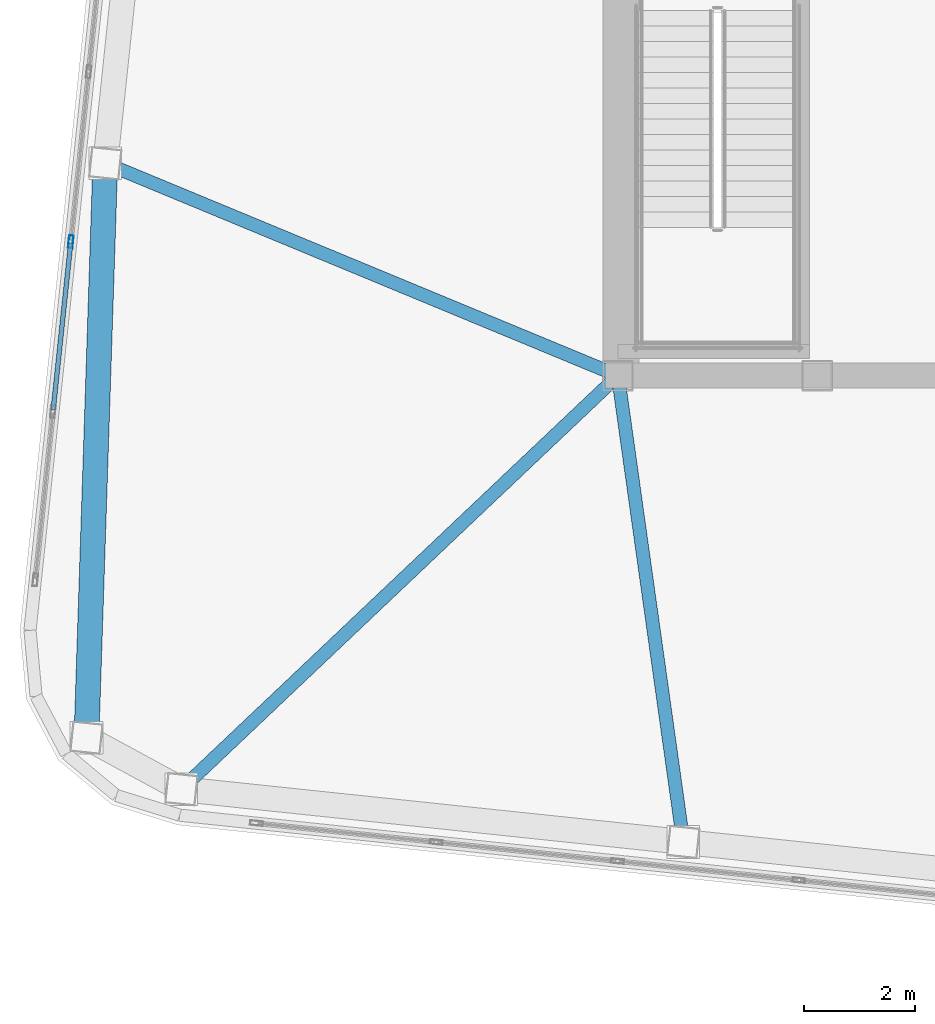
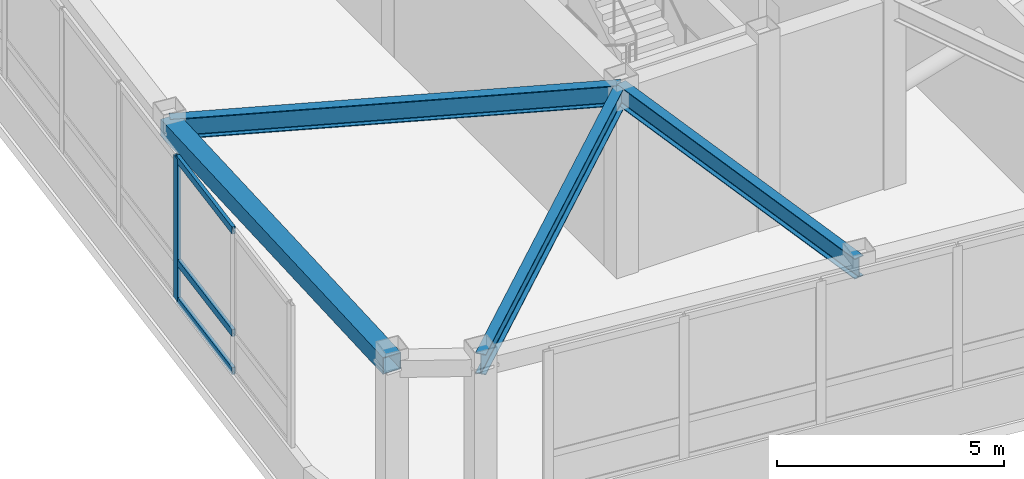
# One storey, part 3 of 23: 4 beams, 4 members, 1 element without a shape of its own.
"""IFC4 building model written with IfcOpenShell, lengths in metres."""

from ifc_helpers import new_model, si_unit, direction, frame, origin, origin_2d, place, context, subcontext, project, spatial, hollow_rectangle, i_section, extrude, material, layer, layer_set, material_profile, profile_set, type_object, element, aggregate, save


model = new_model("IFC4")

# Units and contexts
model_context = context("Model", 3, precision=1e-05, world=origin(), true_north=direction((0.0, 1.0)))
body_context = subcontext(model_context, "Body", "Model", "MODEL_VIEW")
ifc_project = project(units=[si_unit("LENGTHUNIT", "METRE"), si_unit("AREAUNIT", "SQUARE_METRE"), si_unit("VOLUMEUNIT", "CUBIC_METRE"), si_unit("PLANEANGLEUNIT", "RADIAN"), si_unit("MASSUNIT", "GRAM", prefix="KILO")], contexts=[model_context])

# Site, building, storey
site_placement = place(None, origin())
site = spatial("IfcSite", under=ifc_project, at=site_placement, CompositionType="ELEMENT")
building_placement = place(site_placement, origin())
building = spatial("IfcBuilding", under=site, at=building_placement, Name="Voryun Gate Residences", CompositionType="ELEMENT")
storey_placement = place(building_placement, frame((0.0, 0.0, 326.60009765625)))
storey = spatial("IfcBuildingStorey", under=building, at=storey_placement, Name="L80", CompositionType="ELEMENT", Elevation=326.60009765625)

# Beams
ifc_material_1 = material(Name="Steel SM355", Category="steel")
ifc_material_profile_1 = material_profile(ifc_material_1, hollow_rectangle(XDim=0.449951171875, YDim=0.449951171875, WallThickness=0.01806640625, at=origin_2d()), Name="BOX-450x450x18")
ifc_profile_set_1 = profile_set([ifc_material_profile_1], Name="Steel SM355")
beam_type_1 = type_object("IfcBeamType", Name="BM_CROWN_RING", PredefinedType="BEAM", material=ifc_profile_set_1)
beam_1_placement = place(storey_placement, frame((-28.464111328125, -3.56201171875, 4.7998046875), z_axis=(-0.032704208853, -0.999465074289, 0.0), x_axis=(0.999465074289, -0.032704208853, 0.0)))
element("IfcBeam", 1, at=beam_1_placement, inside=storey, type_object=beam_type_1, Name="BM-L80-SPAND-19", PredefinedType="BEAM", context=body_context, shape_type="SweptSolid", body=[
    extrude(hollow_rectangle(XDim=0.449951171875, YDim=0.449951171875, WallThickness=0.01806640625, at=origin_2d()), origin(), (0.0, 0.0, 1.0), 10.384033203125),
])
ifc_material_2 = material(Name="Steel SM355", Category="steel")
ifc_material_profile_2 = material_profile(ifc_material_2, i_section(OverallWidth=0.239990234375, OverallDepth=0.550048828125, WebThickness=0.011962890625, FlangeThickness=0.02001953125, FilletRadius=0.01806640625, at=origin_2d()), Name="H-550x240x12x20")
ifc_profile_set_2 = profile_set([ifc_material_profile_2], Name="Steel SM355")
beam_type_2 = type_object("IfcBeamType", Name="BM_GIRD_550", PredefinedType="USERDEFINED", material=ifc_profile_set_2)
beam_2_placement = place(storey_placement, frame((-19.199951171875, -7.39990234375, 4.75), z_axis=(-0.726024122139, -0.687669233042, 0.0), x_axis=(0.687669233042, -0.726024122139, 0.0)))
element("IfcBeam", 2, at=beam_2_placement, inside=storey, type_object=beam_type_2, Name="BM-L80-RAD-S1", ObjectType="GIRDER", PredefinedType="USERDEFINED", context=body_context, shape_type="SweptSolid", body=[
    extrude(i_section(OverallWidth=0.239990234375, OverallDepth=0.550048828125, WebThickness=0.011962890625, FlangeThickness=0.02001953125, FilletRadius=0.01806640625, at=origin_2d()), origin(), (0.0, 0.0, 1.0), 10.865478515625),
])
beam_3_placement = place(storey_placement, frame((-19.199951171875, -7.39990234375, 4.75), z_axis=(0.138865687617, -0.990311224213, 0.0), x_axis=(0.990311224213, 0.138865687617, 0.0)))
element("IfcBeam", 3, at=beam_3_placement, inside=storey, type_object=beam_type_2, Name="BM-L80-RAD-S2", ObjectType="GIRDER", PredefinedType="USERDEFINED", context=body_context, shape_type="SweptSolid", body=[
    extrude(i_section(OverallWidth=0.239990234375, OverallDepth=0.550048828125, WebThickness=0.011962890625, FlangeThickness=0.02001953125, FilletRadius=0.01806640625, at=origin_2d()), origin(), (0.0, 0.0, 1.0), 8.507568359375),
])
beam_4_placement = place(storey_placement, frame((-19.199951171875, -7.39990234375, 4.75), z_axis=(-0.923860145027, 0.382730234539, 0.0), x_axis=(-0.382730234539, -0.923860145027, 0.0)))
element("IfcBeam", 4, at=beam_4_placement, inside=storey, type_object=beam_type_2, Name="BM-L80-RAD-W2", ObjectType="GIRDER", PredefinedType="USERDEFINED", context=body_context, shape_type="SweptSolid", body=[
    extrude(i_section(OverallWidth=0.239990234375, OverallDepth=0.550048828125, WebThickness=0.011962890625, FlangeThickness=0.02001953125, FilletRadius=0.01806640625, at=origin_2d()), origin(), (0.0, 0.0, 1.0), 10.027587890625),
])

# Curtain wall, members
ifc_material_3 = material(Name="Anodised aluminium", Category="aluminium")
ifc_layer = layer(ifc_material_3, 0.22998046875, Name="CW_SYS_LANTERN_DARK_GLASS")
ifc_layer_set = layer_set([ifc_layer], Name="Anodised aluminium")
curtain_wall_type = type_object("IfcCurtainWallType", Name="CW_SYS_LANTERN_DARK_GLASS", PredefinedType="NOTDEFINED", material=ifc_layer_set)
curtain_wall_placement = place(storey_placement, origin())
curtain_wall = element("IfcCurtainWall", 5, at=curtain_wall_placement, inside=storey, type_object=curtain_wall_type, Name="Curtain wall CW6-L80-06", PredefinedType="NOTDEFINED")
ifc_material_4 = material(Name="Anodised aluminium", Category="aluminium")
ifc_material_profile_3 = material_profile(ifc_material_4, hollow_rectangle(XDim=0.0849609375, YDim=0.22998046875, WallThickness=0.006103515625, at=origin_2d()), Name="ALU-MULL-230x85x6")
ifc_profile_set_3 = profile_set([ifc_material_profile_3], Name="Anodised aluminium")
member_type_1 = type_object("IfcMemberType", Name="CW_MULL_LANT", PredefinedType="MULLION", material=ifc_profile_set_3)
member_1_placement = place(storey_placement, frame((-29.08544921875, -4.978515625, 1.18994140625), z_axis=(0.0, 0.0, 1.0), x_axis=(-0.994521943608, 0.104528004296, 0.0)))
member_1 = element("IfcMember", 6, at=member_1_placement, type_object=member_type_1, Name="CW6 mullion 3", PredefinedType="MULLION", context=body_context, shape_type="SweptSolid", body=[
    extrude(hollow_rectangle(XDim=0.0849609375, YDim=0.22998046875, WallThickness=0.006103515625, at=origin_2d()), origin(), (0.0, 0.0, 1.0), 3.8349609375),
])
ifc_material_5 = material(Name="Anodised aluminium", Category="aluminium")
ifc_material_profile_4 = material_profile(ifc_material_5, hollow_rectangle(XDim=0.0849609375, YDim=0.18994140625, WallThickness=0.006103515625, at=origin_2d()), Name="ALU-TRAN-190x85x6")
ifc_profile_set_4 = profile_set([ifc_material_profile_4], Name="Anodised aluminium")
member_type_2 = type_object("IfcMemberType", Name="CW_TRAN_LANT", PredefinedType="USERDEFINED", material=ifc_profile_set_4)
member_2_placement = place(storey_placement, frame((-29.405029296875, -8.01953125, 1.219970703125), z_axis=(0.104500100479, 0.994524876009, 0.0), x_axis=(-0.994524876009, 0.104500100479, 0.0)))
member_2 = element("IfcMember", 7, at=member_2_placement, type_object=member_type_2, Name="CW6 transom 2.1", ObjectType="TRANSOM", PredefinedType="USERDEFINED", context=body_context, shape_type="SweptSolid", body=[
    extrude(hollow_rectangle(XDim=0.0849609375, YDim=0.18994140625, WallThickness=0.006103515625, at=origin_2d()), origin(), (0.0, 0.0, 1.0), 3.02783203125),
])
member_3_placement = place(storey_placement, frame((-29.405029296875, -8.01953125, 2.239990234375), z_axis=(0.104500100479, 0.994524876009, 0.0), x_axis=(-0.994524876009, 0.104500100479, 0.0)))
member_3 = element("IfcMember", 8, at=member_3_placement, type_object=member_type_2, Name="CW6 transom 2.2", ObjectType="TRANSOM", PredefinedType="USERDEFINED", context=body_context, shape_type="SweptSolid", body=[
    extrude(hollow_rectangle(XDim=0.0849609375, YDim=0.18994140625, WallThickness=0.006103515625, at=origin_2d()), origin(), (0.0, 0.0, 1.0), 3.02783203125),
])
member_4_placement = place(storey_placement, frame((-29.405029296875, -8.01953125, 4.994873046875), z_axis=(0.104500100479, 0.994524876009, 0.0), x_axis=(-0.994524876009, 0.104500100479, 0.0)))
member_4 = element("IfcMember", 9, at=member_4_placement, type_object=member_type_2, Name="CW6 transom 2.3", ObjectType="TRANSOM", PredefinedType="USERDEFINED", context=body_context, shape_type="SweptSolid", body=[
    extrude(hollow_rectangle(XDim=0.0849609375, YDim=0.18994140625, WallThickness=0.006103515625, at=origin_2d()), origin(), (0.0, 0.0, 1.0), 3.02783203125),
])
aggregate(curtain_wall, [member_1, member_2, member_3, member_4])

save(model, "model.ifc")
